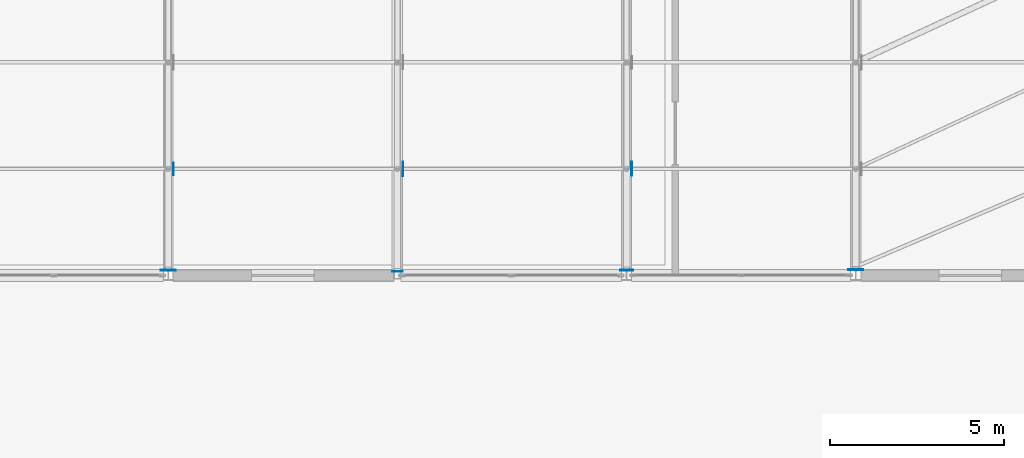
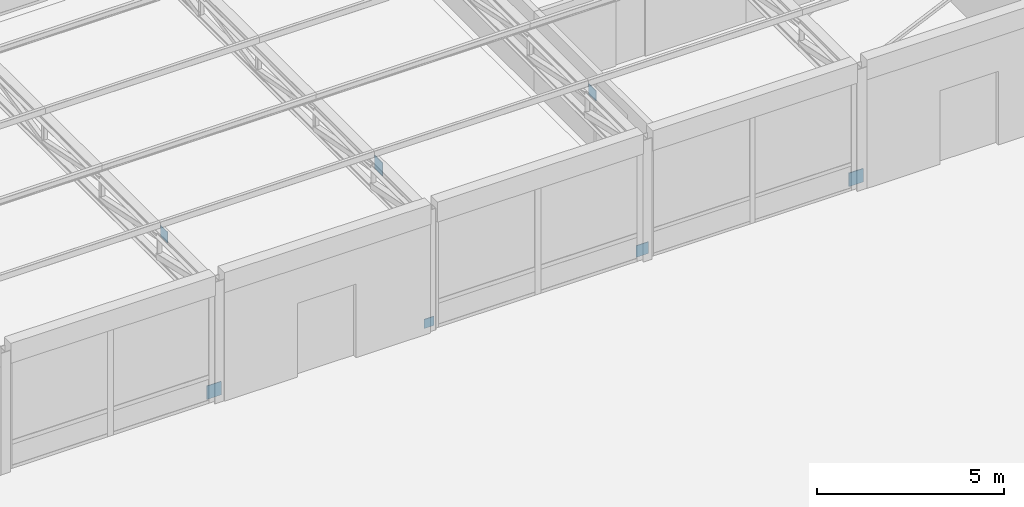
# One storey, part 56 of 92: 7 plates.
"""IFC4 building model written with IfcOpenShell, lengths in metres."""

from ifc_helpers import new_model, si_unit, direction, frame, origin, origin_2d, place, context, subcontext, project, spatial, rectangle, extrude, material, layer, layer_set, type_object, element, save


model = new_model("IFC4")

# Units and contexts
model_context = context("Model", 3, precision=1e-05, world=origin(), true_north=direction((0.0, 1.0)))
body_context = subcontext(model_context, "Body", "Model", "MODEL_VIEW")
ifc_project = project(units=[si_unit("LENGTHUNIT", "METRE"), si_unit("AREAUNIT", "SQUARE_METRE"), si_unit("VOLUMEUNIT", "CUBIC_METRE"), si_unit("PLANEANGLEUNIT", "RADIAN"), si_unit("MASSUNIT", "GRAM", prefix="KILO")], contexts=[model_context])

# Site, building, storey
site_placement = place(None, origin())
site = spatial("IfcSite", under=ifc_project, at=site_placement, CompositionType="ELEMENT")
building_placement = place(site_placement, origin())
building = spatial("IfcBuilding", under=site, at=building_placement, Name="Kernevlak Ridge Housing Community", CompositionType="ELEMENT")
storey_placement = place(building_placement, frame((0.0, 0.0, 4.199951171875)))
storey = spatial("IfcBuildingStorey", under=building, at=storey_placement, Name="L01", CompositionType="ELEMENT", Elevation=4.199951171875)

# Plates
ifc_material = material(Name="Steel S355", Category="steel")
ifc_layer_1 = layer(ifc_material, 0.01611328125, Name="Steel S355")
ifc_layer_set_1 = layer_set([ifc_layer_1], Name="Steel S355")
plate_type_1 = type_object("IfcPlateType", Name="GP-01", PredefinedType="USERDEFINED", material=ifc_layer_set_1)
plate_1_placement = place(storey_placement, frame((77.548095703125, 52.86669921875, 3.31005859375), z_axis=(0.0, 0.0, 1.0), x_axis=(1.0, 0.0, 0.0)))
element("IfcPlate", 1, at=plate_1_placement, inside=storey, type_object=plate_type_1, Name="Roof truss 3 node gusset plate 1", ObjectType="GUSSET_PLATE", PredefinedType="USERDEFINED", context=body_context, shape_type="SweptSolid", body=[
    extrude(rectangle(XDim=0.01611328125, YDim=0.360107421875, at=origin_2d()), origin(), (0.0, 0.0, 1.0), 0.360107421875),
])
ifc_layer_2 = layer(ifc_material, 0.02001953125, Name="Steel S355")
ifc_layer_set_2 = layer_set([ifc_layer_2], Name="Steel S355")
plate_type_2 = type_object("IfcPlateType", Name="GP-02", PredefinedType="USERDEFINED", material=ifc_layer_set_2)
plate_2_placement = place(storey_placement, frame((84.159912109375, 52.86669921875, 3.2001953125), z_axis=(0.0, 0.0, 1.0), x_axis=(1.0, 0.0, 0.0)))
element("IfcPlate", 2, at=plate_2_placement, inside=storey, type_object=plate_type_2, Name="Roof truss 4 node gusset plate 1", ObjectType="GUSSET_PLATE", PredefinedType="USERDEFINED", context=body_context, shape_type="SweptSolid", body=[
    extrude(rectangle(XDim=0.02001953125, YDim=0.419921875, at=origin_2d()), origin(), (0.0, 0.0, 1.0), 0.419921875),
])
ifc_layer_3 = layer(ifc_material, 0.01806640625, Name="Steel S355")
ifc_layer_set_3 = layer_set([ifc_layer_3], Name="Steel S355")
plate_type_3 = type_object("IfcPlateType", Name="GP-03", PredefinedType="USERDEFINED", material=ifc_layer_set_3)
plate_3_placement = place(storey_placement, frame((90.7490234375, 52.86669921875, 3.31982421875), z_axis=(0.0, 0.0, 1.0), x_axis=(1.0, 0.0, 0.0)))
element("IfcPlate", 3, at=plate_3_placement, inside=storey, type_object=plate_type_3, Name="Roof truss 5 node gusset plate 1", ObjectType="GUSSET_PLATE", PredefinedType="USERDEFINED", context=body_context, shape_type="SweptSolid", body=[
    extrude(rectangle(XDim=0.01806640625, YDim=0.39990234375, at=origin_2d()), origin(), (0.0, 0.0, 1.0), 0.340087890625),
])
ifc_layer_4 = layer(ifc_material, 0.01806640625, Name="Steel S355")
ifc_layer_set_4 = layer_set([ifc_layer_4], Name="Steel S355")
plate_type_4 = type_object("IfcPlateType", Name="GP-04", PredefinedType="USERDEFINED", material=ifc_layer_set_4)
plate_4_placement = place(storey_placement, frame((84.0, 49.908935546875, 0.0), z_axis=(0.0, 0.0, 1.0), x_axis=(1.0, 0.0, 0.0)))
element("IfcPlate", 4, at=plate_4_placement, inside=storey, type_object=plate_type_4, Name="Truss column bearing stiffener plate 4.1", ObjectType="STIFFENER_PLATE", PredefinedType="USERDEFINED", context=body_context, shape_type="SweptSolid", body=[
    extrude(rectangle(XDim=0.300048828125, YDim=0.01806640625, at=origin_2d()), origin(), (0.0, 0.0, 1.0), 0.300048828125),
])
ifc_layer_5 = layer(ifc_material, 0.02197265625, Name="Steel S355")
ifc_layer_set_5 = layer_set([ifc_layer_5], Name="Steel S355")
plate_type_5 = type_object("IfcPlateType", Name="GP-05", PredefinedType="USERDEFINED", material=ifc_layer_set_5)
plate_5_placement = place(storey_placement, frame((90.60009765625, 49.950927734375, 0.0), z_axis=(0.0, 0.0, 1.0), x_axis=(1.0, 0.0, 0.0)))
element("IfcPlate", 5, at=plate_5_placement, inside=storey, type_object=plate_type_5, Name="Truss column bearing stiffener plate 5.1", ObjectType="STIFFENER_PLATE", PredefinedType="USERDEFINED", context=body_context, shape_type="SweptSolid", body=[
    extrude(rectangle(XDim=0.3798828125, YDim=0.02197265625, at=origin_2d()), origin(), (0.0, 0.0, 1.0), 0.3798828125),
])
ifc_layer_6 = layer(ifc_material, 0.02490234375, Name="Steel S355")
ifc_layer_set_6 = layer_set([ifc_layer_6], Name="Steel S355")
plate_type_6 = type_object("IfcPlateType", Name="GP-06", PredefinedType="USERDEFINED", material=ifc_layer_set_6)
for number, where, z_axis, x_axis, name in (
    (6, (77.39990234375, 49.952392578125, 0.0), (0.0, 0.0, 1.0), (1.0, 0.0, 0.0), "Truss column bearing stiffener plate 3.1"),
    (7, (97.199951171875, 49.96240234375, 0.0), (0.0, 0.0, 1.0), (1.0, 0.0, 0.0), "Truss column bearing stiffener plate 6.1"),
):
    element("IfcPlate", number, at=place(storey_placement, frame(where, z_axis=z_axis, x_axis=x_axis)), inside=storey, type_object=plate_type_6, Name=name, ObjectType="STIFFENER_PLATE", PredefinedType="USERDEFINED", context=body_context, shape_type="SweptSolid", body=[
        extrude(rectangle(XDim=0.43994140625, YDim=0.02490234375, at=origin_2d()), origin(), (0.0, 0.0, 1.0), 0.43994140625),
    ])

save(model, "model.ifc")
